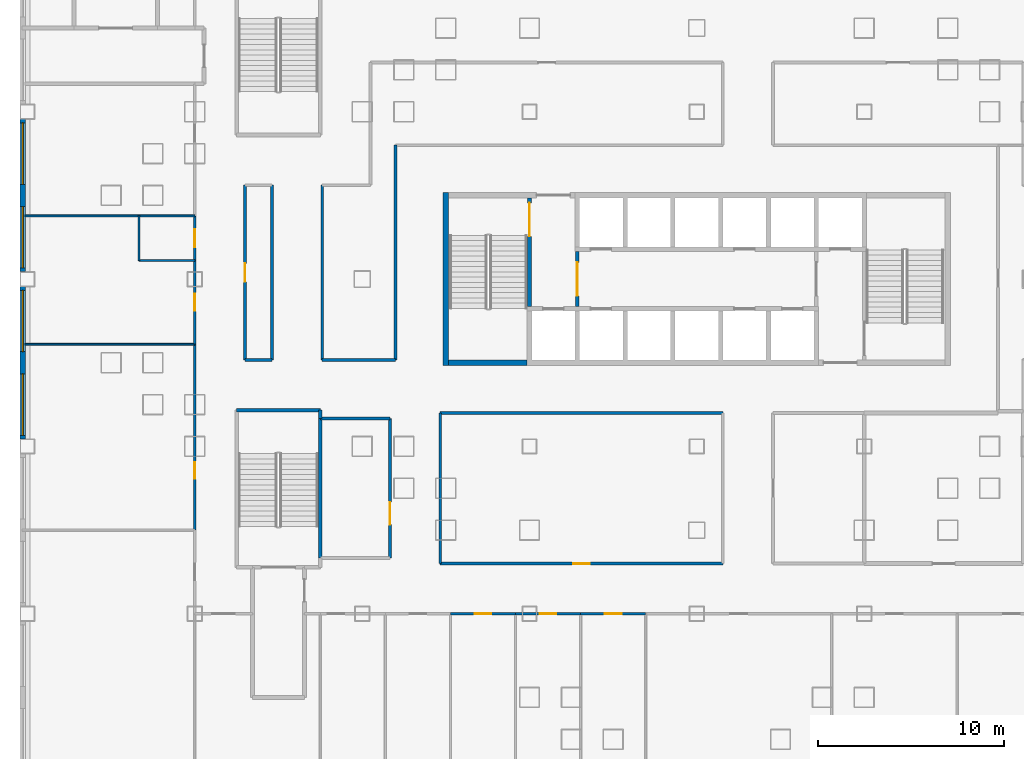
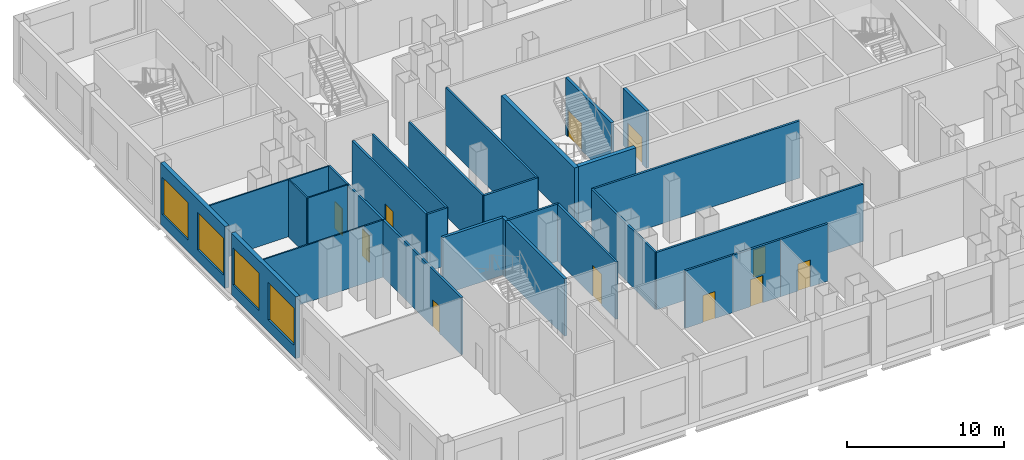
# One storey, part 3 of 23: 31 walls, 11 doors, 4 windows, 15 openings.
"""IFC4 building model written with IfcOpenShell, lengths in metres."""

from ifc_helpers import new_model, si_unit, direction, frame, frame_2d, origin, place, context, subcontext, project, spatial, rectangle, extrude, material, layer, layer_set, type_object, element, fill, save


model = new_model("IFC4")

# Units and contexts
model_context = context("Model", 3, precision=1e-05, world=origin(), true_north=direction((0.0, 1.0)))
body_context = subcontext(model_context, "Body", "Model", "MODEL_VIEW")
ifc_project = project(units=[si_unit("LENGTHUNIT", "METRE"), si_unit("AREAUNIT", "SQUARE_METRE"), si_unit("VOLUMEUNIT", "CUBIC_METRE"), si_unit("PLANEANGLEUNIT", "RADIAN"), si_unit("MASSUNIT", "GRAM", prefix="KILO")], contexts=[model_context])

# Site, building, storey
site_placement = place(None, origin())
site = spatial("IfcSite", under=ifc_project, at=site_placement, CompositionType="ELEMENT")
building_placement = place(site_placement, origin())
building = spatial("IfcBuilding", under=site, at=building_placement, Name="Caravel Reach Hotel and Residences", CompositionType="ELEMENT")
storey_placement = place(building_placement, frame((0.0, 0.0, 24.0)))
storey = spatial("IfcBuildingStorey", under=building, at=storey_placement, Name="L04", CompositionType="ELEMENT", Elevation=24.0)

# Walls
ifc_material_1 = material(Name="Concrete C60", Category="concrete")
ifc_layer_1 = layer(ifc_material_1, 0.300048828125)
ifc_layer_set_1 = layer_set([ifc_layer_1], Name="Core wall 300 mm EI 120")
wall_type_1 = type_object("IfcWallType", Name="Core wall 300 mm EI 120", PredefinedType="SHEAR", material=ifc_layer_set_1)
wall_1_placement = place(storey_placement, frame((18.14990234375, 22.5, 0.0), z_axis=(0.0, 0.0, 1.0), x_axis=(1.0, 0.0, 0.0)))
element("IfcWall", 1, at=wall_1_placement, inside=storey, type_object=wall_type_1, Name="L04 core wall S1", PredefinedType="SHEAR", context=body_context, shape_type="SweptSolid", body=[
    extrude(rectangle(XDim=4.22509765625, YDim=0.300048828125, at=frame_2d((2.112548828125, 0.0))), origin(), (0.0, 0.0, 1.0), 4.449951171875),
])
wall_2_placement = place(storey_placement, frame((18.0, 22.35009765625, 0.0), z_axis=(0.0, 0.0, 1.0), x_axis=(0.0, 1.0, 0.0)))
element("IfcWall", 2, at=wall_2_placement, inside=storey, type_object=wall_type_1, Name="L04 core wall W", PredefinedType="SHEAR", context=body_context, shape_type="SweptSolid", body=[
    extrude(rectangle(XDim=9.2998046875, YDim=0.300048828125, at=frame_2d((4.64990234375, 0.0))), origin(), (0.0, 0.0, 1.0), 4.449951171875),
])

# Wall, opening, door
ifc_material_2 = material(Name="Gypsum board on steel stud, fire-rated", Category="steel")
ifc_layer_2 = layer(ifc_material_2, 0.14990234375)
ifc_layer_set_2 = layer_set([ifc_layer_2], Name="Corridor wall 150 mm EI 60")
wall_type_2 = type_object("IfcWallType", Name="Corridor wall 150 mm EI 60", PredefinedType="PARTITIONING", material=ifc_layer_set_2)
wall_3_placement = place(storey_placement, frame((17.699951171875, 11.699951171875, 0.0), z_axis=(0.0, 0.0, 1.0), x_axis=(1.0, 0.0, 0.0)))
wall_3 = element("IfcWall", 3, at=wall_3_placement, inside=storey, type_object=wall_type_2, Name="L04 wall w002", PredefinedType="PARTITIONING", context=body_context, shape_type="SweptSolid", body=[
    extrude(rectangle(XDim=15.199951171875, YDim=0.14990234375, at=frame_2d((7.60009765625, 0.0))), origin(), (0.0, 0.0, 1.0), 4.449951171875),
])
opening_1_placement = place(wall_3_placement, frame((7.14990234375, 0.0, 0.0)))
opening_1 = element("IfcOpeningElement", 4, at=opening_1_placement, cuts=wall_3, Name="Opening D04-062", PredefinedType="OPENING", context=body_context, shape_type="SweptSolid", body=[
    extrude(rectangle(XDim=0.89990234375, YDim=2.10009765625, at=frame_2d((0.449951171875, 1.050048828125))), frame((0.0, 0.0849609375, 0.0), z_axis=(0.0, -1.0, 0.0), x_axis=(1.0, 0.0, 0.0)), (0.0, 0.0, 1.0), 0.169921875),
])
ifc_material_3 = material(Name="Timber and steel door leaf", Category="steel")
door_type_1 = type_object("IfcDoorType", Name="Door 900 x 2100 timber", OperationType="SINGLE_SWING_LEFT", PredefinedType="DOOR", material=ifc_material_3)
door_1_placement = place(opening_1_placement, origin())
door_1 = element("IfcDoor", 5, at=door_1_placement, inside=storey, type_object=door_type_1, Name="door D04-062", OperationType="SINGLE_SWING_RIGHT", OverallHeight=2.10009765625, OverallWidth=0.89990234375, PredefinedType="DOOR", context=body_context, shape_type="SweptSolid", body=[
    extrude(rectangle(XDim=0.89990234375, YDim=2.10009765625, at=frame_2d((0.449951171875, 1.050048828125))), frame((0.0, 0.02490234375, 0.0), z_axis=(0.0, -1.0, 0.0), x_axis=(1.0, 0.0, 0.0)), (0.0, 0.0, 1.0), 0.050048828125),
])
fill(opening_1, door_1)

# Walls
wall_4_placement = place(storey_placement, frame((11.25, 19.5, 0.0), z_axis=(0.0, 0.0, 1.0), x_axis=(1.0, 0.0, 0.0)))
element("IfcWall", 6, at=wall_4_placement, inside=storey, type_object=wall_type_2, Name="L04 wall w004", PredefinedType="PARTITIONING", context=body_context, shape_type="SweptSolid", body=[
    extrude(rectangle(XDim=3.75, YDim=0.14990234375, at=frame_2d((1.875, 0.0))), origin(), (0.0, 0.0, 1.0), 4.449951171875),
])
wall_5_placement = place(storey_placement, frame((17.699951171875, 19.800048828125, 0.0), z_axis=(0.0, 0.0, 1.0), x_axis=(1.0, 0.0, 0.0)))
element("IfcWall", 7, at=wall_5_placement, inside=storey, type_object=wall_type_2, Name="L04 wall w006", PredefinedType="PARTITIONING", context=body_context, shape_type="SweptSolid", body=[
    extrude(rectangle(XDim=15.199951171875, YDim=0.14990234375, at=frame_2d((7.60009765625, 0.0))), origin(), (0.0, 0.0, 1.0), 4.449951171875),
])
wall_6_placement = place(storey_placement, frame((11.35009765625, 22.64990234375, 0.0), z_axis=(0.0, 0.0, 1.0), x_axis=(1.0, 0.0, 0.0)))
element("IfcWall", 8, at=wall_6_placement, inside=storey, type_object=wall_type_2, Name="L04 wall w008", PredefinedType="PARTITIONING", context=body_context, shape_type="SweptSolid", body=[
    extrude(rectangle(XDim=3.949951171875, YDim=0.14990234375, at=frame_2d((1.97509765625, 0.0))), origin(), (0.0, 0.0, 1.0), 4.449951171875),
])
wall_7_placement = place(storey_placement, frame((7.199951171875, 22.64990234375, 0.0), z_axis=(0.0, 0.0, 1.0), x_axis=(1.0, 0.0, 0.0)))
element("IfcWall", 9, at=wall_7_placement, inside=storey, type_object=wall_type_2, Name="L04 wall w009", PredefinedType="PARTITIONING", context=body_context, shape_type="SweptSolid", body=[
    extrude(rectangle(XDim=1.449951171875, YDim=0.14990234375, at=frame_2d((0.72509765625, 0.0))), origin(), (0.0, 0.0, 1.0), 4.449951171875),
])

# Wall, opening, door
wall_8_placement = place(storey_placement, frame((18.25, 9.0, 0.0), z_axis=(0.0, 0.0, 1.0), x_axis=(1.0, 0.0, 0.0)))
wall_8 = element("IfcWall", 10, at=wall_8_placement, inside=storey, type_object=wall_type_2, Name="L04 wall w026", PredefinedType="PARTITIONING", context=body_context, shape_type="SweptSolid", body=[
    extrude(rectangle(XDim=3.5, YDim=0.14990234375, at=frame_2d((1.75, 0.0))), origin(), (0.0, 0.0, 1.0), 4.449951171875),
])
opening_2_placement = place(wall_8_placement, frame((1.300048828125, 0.0, 0.0)))
opening_2 = element("IfcOpeningElement", 11, at=opening_2_placement, cuts=wall_8, Name="Opening D04-043", PredefinedType="OPENING", context=body_context, shape_type="SweptSolid", body=[
    extrude(rectangle(XDim=0.89990234375, YDim=2.10009765625, at=frame_2d((0.449951171875, 1.050048828125))), frame((0.0, 0.0849609375, 0.0), z_axis=(0.0, -1.0, 0.0), x_axis=(1.0, 0.0, 0.0)), (0.0, 0.0, 1.0), 0.169921875),
])
door_2_placement = place(opening_2_placement, origin())
door_2 = element("IfcDoor", 12, at=door_2_placement, inside=storey, type_object=door_type_1, Name="door D04-043", OperationType="SINGLE_SWING_RIGHT", OverallHeight=2.10009765625, OverallWidth=0.89990234375, PredefinedType="DOOR", context=body_context, shape_type="SweptSolid", body=[
    extrude(rectangle(XDim=0.89990234375, YDim=2.10009765625, at=frame_2d((0.449951171875, 1.050048828125))), frame((0.0, 0.02490234375, 0.0), z_axis=(0.0, -1.0, 0.0), x_axis=(1.0, 0.0, 0.0)), (0.0, 0.0, 1.0), 0.050048828125),
])
fill(opening_2, door_2)

wall_9_placement = place(storey_placement, frame((21.75, 9.0, 0.0), z_axis=(0.0, 0.0, 1.0), x_axis=(1.0, 0.0, 0.0)))
wall_9 = element("IfcWall", 13, at=wall_9_placement, inside=storey, type_object=wall_type_2, Name="L04 wall w027", PredefinedType="PARTITIONING", context=body_context, shape_type="SweptSolid", body=[
    extrude(rectangle(XDim=3.5, YDim=0.14990234375, at=frame_2d((1.75, 0.0))), origin(), (0.0, 0.0, 1.0), 4.449951171875),
])
opening_3_placement = place(wall_9_placement, frame((1.300048828125, 0.0, 0.0)))
opening_3 = element("IfcOpeningElement", 14, at=opening_3_placement, cuts=wall_9, Name="Opening D04-044", PredefinedType="OPENING", context=body_context, shape_type="SweptSolid", body=[
    extrude(rectangle(XDim=0.89990234375, YDim=2.10009765625, at=frame_2d((0.449951171875, 1.050048828125))), frame((0.0, 0.0849609375, 0.0), z_axis=(0.0, -1.0, 0.0), x_axis=(1.0, 0.0, 0.0)), (0.0, 0.0, 1.0), 0.169921875),
])
door_3_placement = place(opening_3_placement, origin())
door_3 = element("IfcDoor", 15, at=door_3_placement, inside=storey, type_object=door_type_1, Name="door D04-044", OperationType="SINGLE_SWING_RIGHT", OverallHeight=2.10009765625, OverallWidth=0.89990234375, PredefinedType="DOOR", context=body_context, shape_type="SweptSolid", body=[
    extrude(rectangle(XDim=0.89990234375, YDim=2.10009765625, at=frame_2d((0.449951171875, 1.050048828125))), frame((0.0, 0.02490234375, 0.0), z_axis=(0.0, -1.0, 0.0), x_axis=(1.0, 0.0, 0.0)), (0.0, 0.0, 1.0), 0.050048828125),
])
fill(opening_3, door_3)

wall_10_placement = place(storey_placement, frame((25.25, 9.0, 0.0), z_axis=(0.0, 0.0, 1.0), x_axis=(1.0, 0.0, 0.0)))
wall_10 = element("IfcWall", 16, at=wall_10_placement, inside=storey, type_object=wall_type_2, Name="L04 wall w028", PredefinedType="PARTITIONING", context=body_context, shape_type="SweptSolid", body=[
    extrude(rectangle(XDim=3.5, YDim=0.14990234375, at=frame_2d((1.75, 0.0))), origin(), (0.0, 0.0, 1.0), 4.449951171875),
])
opening_4_placement = place(wall_10_placement, frame((1.300048828125, 0.0, 0.0)))
opening_4 = element("IfcOpeningElement", 17, at=opening_4_placement, cuts=wall_10, Name="Opening D04-045", PredefinedType="OPENING", context=body_context, shape_type="SweptSolid", body=[
    extrude(rectangle(XDim=0.89990234375, YDim=2.10009765625, at=frame_2d((0.449951171875, 1.050048828125))), frame((0.0, 0.0849609375, 0.0), z_axis=(0.0, -1.0, 0.0), x_axis=(1.0, 0.0, 0.0)), (0.0, 0.0, 1.0), 0.169921875),
])
door_4_placement = place(opening_4_placement, origin())
door_4 = element("IfcDoor", 18, at=door_4_placement, inside=storey, type_object=door_type_1, Name="door D04-045", OperationType="SINGLE_SWING_RIGHT", OverallHeight=2.10009765625, OverallWidth=0.89990234375, PredefinedType="DOOR", context=body_context, shape_type="SweptSolid", body=[
    extrude(rectangle(XDim=0.89990234375, YDim=2.10009765625, at=frame_2d((0.449951171875, 1.050048828125))), frame((0.0, 0.02490234375, 0.0), z_axis=(0.0, -1.0, 0.0), x_axis=(1.0, 0.0, 0.0)), (0.0, 0.0, 1.0), 0.050048828125),
])
fill(opening_4, door_4)

# Wall
wall_11_placement = place(storey_placement, frame((11.35009765625, 22.64990234375, 0.0), z_axis=(0.0, 0.0, 1.0), x_axis=(0.0, 1.0, 0.0)))
element("IfcWall", 19, at=wall_11_placement, inside=storey, type_object=wall_type_2, Name="L04 wall w034", PredefinedType="PARTITIONING", context=body_context, shape_type="SweptSolid", body=[
    extrude(rectangle(XDim=9.400146484375, YDim=0.14990234375, at=frame_2d((4.7001953125, 0.0))), origin(), (0.0, 0.0, 1.0), 4.449951171875),
])

# Wall, opening, door
wall_12_placement = place(storey_placement, frame((15.0, 12.0, 0.0), z_axis=(0.0, 0.0, 1.0), x_axis=(0.0, 1.0, 0.0)))
wall_12 = element("IfcWall", 20, at=wall_12_placement, inside=storey, type_object=wall_type_2, Name="L04 wall w036", PredefinedType="PARTITIONING", context=body_context, shape_type="SweptSolid", body=[
    extrude(rectangle(XDim=7.5, YDim=0.14990234375, at=frame_2d((3.75, 0.0))), origin(), (0.0, 0.0, 1.0), 4.449951171875),
])
opening_5_placement = place(wall_12_placement, frame((1.800048828125, 0.0, 0.0)))
opening_5 = element("IfcOpeningElement", 21, at=opening_5_placement, cuts=wall_12, Name="Opening D04-056", PredefinedType="OPENING", context=body_context, shape_type="SweptSolid", body=[
    extrude(rectangle(XDim=1.199951171875, YDim=2.39990234375, at=frame_2d((0.60009765625, 1.199951171875))), frame((0.0, 0.0849609375, 0.0), z_axis=(0.0, -1.0, 0.0), x_axis=(1.0, 0.0, 0.0)), (0.0, 0.0, 1.0), 0.169921875),
])
ifc_material_4 = material(Name="Timber and steel door leaf", Category="steel")
door_type_2 = type_object("IfcDoorType", Name="Glazed door 1200 x 2400", OperationType="SINGLE_SWING_LEFT", PredefinedType="DOOR", material=ifc_material_4)
door_5_placement = place(opening_5_placement, origin())
door_5 = element("IfcDoor", 22, at=door_5_placement, inside=storey, type_object=door_type_2, Name="door D04-056", OperationType="SINGLE_SWING_LEFT", OverallHeight=2.39990234375, OverallWidth=1.199951171875, PredefinedType="DOOR", context=body_context, shape_type="SweptSolid", body=[
    extrude(rectangle(XDim=1.199951171875, YDim=2.39990234375, at=frame_2d((0.60009765625, 1.199951171875))), frame((0.0, 0.02490234375, 0.0), z_axis=(0.0, -1.0, 0.0), x_axis=(1.0, 0.0, 0.0)), (0.0, 0.0, 1.0), 0.050048828125),
])
fill(opening_5, door_5)

# Walls
wall_13_placement = place(storey_placement, frame((15.300048828125, 22.64990234375, 0.0), z_axis=(0.0, 0.0, 1.0), x_axis=(0.0, 1.0, 0.0)))
element("IfcWall", 23, at=wall_13_placement, inside=storey, type_object=wall_type_2, Name="L04 wall w037", PredefinedType="PARTITIONING", context=body_context, shape_type="SweptSolid", body=[
    extrude(rectangle(XDim=11.550048828125, YDim=0.14990234375, at=frame_2d((5.77490234375, 0.0))), origin(), (0.0, 0.0, 1.0), 4.449951171875),
])
wall_14_placement = place(storey_placement, frame((17.699951171875, 11.699951171875, 0.0), z_axis=(0.0, 0.0, 1.0), x_axis=(0.0, 1.0, 0.0)))
element("IfcWall", 24, at=wall_14_placement, inside=storey, type_object=wall_type_2, Name="L04 wall w038", PredefinedType="PARTITIONING", context=body_context, shape_type="SweptSolid", body=[
    extrude(rectangle(XDim=8.10009765625, YDim=0.14990234375, at=frame_2d((4.050048828125, 0.0))), origin(), (0.0, 0.0, 1.0), 4.449951171875),
])

# Wall, opening, door
wall_15_placement = place(storey_placement, frame((4.5, 13.5, 0.0), z_axis=(0.0, 0.0, 1.0), x_axis=(0.0, 1.0, 0.0)))
wall_15 = element("IfcWall", 25, at=wall_15_placement, inside=storey, type_object=wall_type_2, Name="L04 wall w044", PredefinedType="PARTITIONING", context=body_context, shape_type="SweptSolid", body=[
    extrude(rectangle(XDim=10.0, YDim=0.14990234375, at=frame_2d((5.0, 0.0))), origin(), (0.0, 0.0, 1.0), 4.449951171875),
])
opening_6_placement = place(wall_15_placement, frame((2.75, 0.0, 0.0)))
opening_6 = element("IfcOpeningElement", 26, at=opening_6_placement, cuts=wall_15, Name="Opening D04-029", PredefinedType="OPENING", context=body_context, shape_type="SweptSolid", body=[
    extrude(rectangle(XDim=0.89990234375, YDim=2.10009765625, at=frame_2d((0.449951171875, 1.050048828125))), frame((0.0, 0.0849609375, 0.0), z_axis=(0.0, -1.0, 0.0), x_axis=(1.0, 0.0, 0.0)), (0.0, 0.0, 1.0), 0.169921875),
])
door_6_placement = place(opening_6_placement, origin())
door_6 = element("IfcDoor", 27, at=door_6_placement, inside=storey, type_object=door_type_1, Name="door D04-029", OperationType="SINGLE_SWING_LEFT", OverallHeight=2.10009765625, OverallWidth=0.89990234375, PredefinedType="DOOR", context=body_context, shape_type="SweptSolid", body=[
    extrude(rectangle(XDim=0.89990234375, YDim=2.10009765625, at=frame_2d((0.449951171875, 1.050048828125))), frame((0.0, 0.02490234375, 0.0), z_axis=(0.0, -1.0, 0.0), x_axis=(1.0, 0.0, 0.0)), (0.0, 0.0, 1.0), 0.050048828125),
])
fill(opening_6, door_6)

wall_16_placement = place(storey_placement, frame((4.5, 23.5, 0.0), z_axis=(0.0, 0.0, 1.0), x_axis=(0.0, 1.0, 0.0)))
wall_16 = element("IfcWall", 28, at=wall_16_placement, inside=storey, type_object=wall_type_2, Name="L04 wall w045", PredefinedType="PARTITIONING", context=body_context, shape_type="SweptSolid", body=[
    extrude(rectangle(XDim=4.5, YDim=0.14990234375, at=frame_2d((2.25, 0.0))), origin(), (0.0, 0.0, 1.0), 4.449951171875),
])
opening_7_placement = place(wall_16_placement, frame((1.800048828125, 0.0, 0.0)))
opening_7 = element("IfcOpeningElement", 29, at=opening_7_placement, cuts=wall_16, Name="Opening D04-030", PredefinedType="OPENING", context=body_context, shape_type="SweptSolid", body=[
    extrude(rectangle(XDim=0.89990234375, YDim=2.10009765625, at=frame_2d((0.449951171875, 1.050048828125))), frame((0.0, 0.0849609375, 0.0), z_axis=(0.0, -1.0, 0.0), x_axis=(1.0, 0.0, 0.0)), (0.0, 0.0, 1.0), 0.169921875),
])
door_7_placement = place(opening_7_placement, origin())
door_7 = element("IfcDoor", 30, at=door_7_placement, inside=storey, type_object=door_type_1, Name="door D04-030", OperationType="SINGLE_SWING_RIGHT", OverallHeight=2.10009765625, OverallWidth=0.89990234375, PredefinedType="DOOR", context=body_context, shape_type="SweptSolid", body=[
    extrude(rectangle(XDim=0.89990234375, YDim=2.10009765625, at=frame_2d((0.449951171875, 1.050048828125))), frame((0.0, 0.02490234375, 0.0), z_axis=(0.0, -1.0, 0.0), x_axis=(1.0, 0.0, 0.0)), (0.0, 0.0, 1.0), 0.050048828125),
])
fill(opening_7, door_7)

wall_17_placement = place(storey_placement, frame((4.5, 28.0, 0.0), z_axis=(0.0, 0.0, 1.0), x_axis=(0.0, 1.0, 0.0)))
wall_17 = element("IfcWall", 31, at=wall_17_placement, inside=storey, type_object=wall_type_2, Name="L04 wall w046", PredefinedType="PARTITIONING", context=body_context, shape_type="SweptSolid", body=[
    extrude(rectangle(XDim=2.39990234375, YDim=0.14990234375, at=frame_2d((1.199951171875, 0.0))), origin(), (0.0, 0.0, 1.0), 4.449951171875),
])
opening_8_placement = place(wall_17_placement, frame((0.72509765625, 0.0, 0.0)))
opening_8 = element("IfcOpeningElement", 32, at=opening_8_placement, cuts=wall_17, Name="Opening D04-031", PredefinedType="OPENING", context=body_context, shape_type="SweptSolid", body=[
    extrude(rectangle(XDim=0.949951171875, YDim=2.10009765625, at=frame_2d((0.47509765625, 1.050048828125))), frame((0.0, 0.0849609375, 0.0), z_axis=(0.0, -1.0, 0.0), x_axis=(1.0, 0.0, 0.0)), (0.0, 0.0, 1.0), 0.169921875),
])
ifc_material_5 = material(Name="Timber and steel door leaf", Category="steel")
door_type_3 = type_object("IfcDoorType", Name="Accessible WC door 950 x 2100", OperationType="SINGLE_SWING_LEFT", PredefinedType="DOOR", material=ifc_material_5)
door_8_placement = place(opening_8_placement, origin())
door_8 = element("IfcDoor", 33, at=door_8_placement, inside=storey, type_object=door_type_3, Name="door D04-031", OperationType="SINGLE_SWING_LEFT", OverallHeight=2.10009765625, OverallWidth=0.949951171875, PredefinedType="DOOR", context=body_context, shape_type="SweptSolid", body=[
    extrude(rectangle(XDim=0.949951171875, YDim=2.10009765625, at=frame_2d((0.47509765625, 1.050048828125))), frame((0.0, 0.02490234375, 0.0), z_axis=(0.0, -1.0, 0.0), x_axis=(1.0, 0.0, 0.0)), (0.0, 0.0, 1.0), 0.050048828125),
])
fill(opening_8, door_8)

wall_18_placement = place(storey_placement, frame((7.199951171875, 22.64990234375, 0.0), z_axis=(0.0, 0.0, 1.0), x_axis=(0.0, 1.0, 0.0)))
wall_18 = element("IfcWall", 34, at=wall_18_placement, inside=storey, type_object=wall_type_2, Name="L04 wall w059", PredefinedType="PARTITIONING", context=body_context, shape_type="SweptSolid", body=[
    extrude(rectangle(XDim=9.400146484375, YDim=0.14990234375, at=frame_2d((4.7001953125, 0.0))), origin(), (0.0, 0.0, 1.0), 4.449951171875),
])
opening_9_placement = place(wall_18_placement, frame((4.199951171875, 0.0, 0.0)))
opening_9 = element("IfcOpeningElement", 35, at=opening_9_placement, cuts=wall_18, Name="Opening D04-063", PredefinedType="OPENING", context=body_context, shape_type="SweptSolid", body=[
    extrude(rectangle(XDim=1.0, YDim=2.10009765625, at=frame_2d((0.5, 1.050048828125))), frame((0.0, 0.0849609375, 0.0), z_axis=(0.0, -1.0, 0.0), x_axis=(1.0, 0.0, 0.0)), (0.0, 0.0, 1.0), 0.169921875),
])
ifc_material_6 = material(Name="Steel fire door leaf", Category="steel")
door_type_4 = type_object("IfcDoorType", Name="Fire door 1000 x 2100 EI 60", OperationType="SINGLE_SWING_LEFT", PredefinedType="DOOR", material=ifc_material_6)
door_9_placement = place(opening_9_placement, origin())
door_9 = element("IfcDoor", 36, at=door_9_placement, inside=storey, type_object=door_type_4, Name="door D04-063", OperationType="SINGLE_SWING_RIGHT", OverallHeight=2.10009765625, OverallWidth=1.0, PredefinedType="DOOR", context=body_context, shape_type="SweptSolid", body=[
    extrude(rectangle(XDim=1.0, YDim=2.10009765625, at=frame_2d((0.5, 1.050048828125))), frame((0.0, 0.02490234375, 0.0), z_axis=(0.0, -1.0, 0.0), x_axis=(1.0, 0.0, 0.0)), (0.0, 0.0, 1.0), 0.050048828125),
])
fill(opening_9, door_9)

# Wall
wall_19_placement = place(storey_placement, frame((8.64990234375, 22.64990234375, 0.0), z_axis=(0.0, 0.0, 1.0), x_axis=(0.0, 1.0, 0.0)))
element("IfcWall", 37, at=wall_19_placement, inside=storey, type_object=wall_type_2, Name="L04 wall w060", PredefinedType="PARTITIONING", context=body_context, shape_type="SweptSolid", body=[
    extrude(rectangle(XDim=9.400146484375, YDim=0.14990234375, at=frame_2d((4.7001953125, 0.0))), origin(), (0.0, 0.0, 1.0), 4.449951171875),
])

# Wall, openings, windows
ifc_material_7 = material(Name="Insulated wall, stone cladding", Category="masonry")
ifc_layer_3 = layer(ifc_material_7, 0.300048828125)
ifc_layer_set_3 = layer_set([ifc_layer_3], Name="EW2 Podium stone-clad wall")
wall_type_3 = type_object("IfcWallType", Name="EW2 Podium stone-clad wall", PredefinedType="SOLIDWALL", material=ifc_layer_set_3)
wall_20_placement = place(storey_placement, frame((-4.75, 35.60009765625, 0.0), z_axis=(0.0, 0.0, 1.0), x_axis=(0.0, -1.0, 0.0)))
wall_20 = element("IfcWall", 38, at=wall_20_placement, inside=storey, type_object=wall_type_3, Name="External wall L04 W3.3", PredefinedType="SOLIDWALL", context=body_context, shape_type="SweptSolid", body=[
    extrude(rectangle(XDim=8.2001953125, YDim=0.300048828125, at=frame_2d((4.10009765625, 0.0))), origin(), (0.0, 0.0, 1.0), 4.800048828125),
])
opening_10_placement = place(wall_20_placement, frame((0.199951171875, 0.0, 0.89990234375)))
opening_10 = element("IfcOpeningElement", 39, at=opening_10_placement, cuts=wall_20, Name="Opening WN32", PredefinedType="OPENING", context=body_context, shape_type="SweptSolid", body=[
    extrude(rectangle(XDim=3.300048828125, YDim=2.89990234375, at=frame_2d((1.64990234375, 1.449951171875))), frame((0.0, 0.159912109375, 0.0), z_axis=(0.0, -1.0, 0.0), x_axis=(1.0, 0.0, 0.0)), (0.0, 0.0, 1.0), 0.320068359375),
])
opening_11_placement = place(wall_20_placement, frame((4.699951171875, 0.0, 0.89990234375)))
opening_11 = element("IfcOpeningElement", 40, at=opening_11_placement, cuts=wall_20, Name="Opening WN32", PredefinedType="OPENING", context=body_context, shape_type="SweptSolid", body=[
    extrude(rectangle(XDim=3.300048828125, YDim=2.89990234375, at=frame_2d((1.64990234375, 1.449951171875))), frame((0.0, 0.159912109375, 0.0), z_axis=(0.0, -1.0, 0.0), x_axis=(1.0, 0.0, 0.0)), (0.0, 0.0, 1.0), 0.320068359375),
])
ifc_material_8 = material(Name="Dark low-e glazing in black aluminium frame", Category="aluminium")
window_type = type_object("IfcWindowType", Name="Podium window 3300 x 2900", PartitioningType="SINGLE_PANEL", PredefinedType="WINDOW", material=ifc_material_8)
window_1_placement = place(opening_10_placement, origin())
window_1 = element("IfcWindow", 41, at=window_1_placement, inside=storey, type_object=window_type, Name="Window L04 W3.3.1", OverallHeight=2.89990234375, OverallWidth=3.300048828125, PartitioningType="SINGLE_PANEL", PredefinedType="WINDOW", context=body_context, shape_type="SweptSolid", body=[
    extrude(rectangle(XDim=3.300048828125, YDim=2.89990234375, at=frame_2d((1.64990234375, 1.449951171875))), frame((0.0, 0.030029296875, 0.0), z_axis=(0.0, -1.0, 0.0), x_axis=(1.0, 0.0, 0.0)), (0.0, 0.0, 1.0), 0.06005859375),
])
fill(opening_10, window_1)
window_2_placement = place(opening_11_placement, origin())
window_2 = element("IfcWindow", 42, at=window_2_placement, inside=storey, type_object=window_type, Name="Window L04 W3.3.2", OverallHeight=2.89990234375, OverallWidth=3.300048828125, PartitioningType="SINGLE_PANEL", PredefinedType="WINDOW", context=body_context, shape_type="SweptSolid", body=[
    extrude(rectangle(XDim=3.300048828125, YDim=2.89990234375, at=frame_2d((1.64990234375, 1.449951171875))), frame((0.0, 0.030029296875, 0.0), z_axis=(0.0, -1.0, 0.0), x_axis=(1.0, 0.0, 0.0)), (0.0, 0.0, 1.0), 0.06005859375),
])
fill(opening_11, window_2)

wall_21_placement = place(storey_placement, frame((-4.75, 26.60009765625, 0.0), z_axis=(0.0, 0.0, 1.0), x_axis=(0.0, -1.0, 0.0)))
wall_21 = element("IfcWall", 43, at=wall_21_placement, inside=storey, type_object=wall_type_3, Name="External wall L04 W3.4", PredefinedType="SOLIDWALL", context=body_context, shape_type="SweptSolid", body=[
    extrude(rectangle(XDim=8.2001953125, YDim=0.300048828125, at=frame_2d((4.10009765625, 0.0))), origin(), (0.0, 0.0, 1.0), 4.800048828125),
])
opening_12_placement = place(wall_21_placement, frame((0.199951171875, 0.0, 0.89990234375)))
opening_12 = element("IfcOpeningElement", 44, at=opening_12_placement, cuts=wall_21, Name="Opening WN32", PredefinedType="OPENING", context=body_context, shape_type="SweptSolid", body=[
    extrude(rectangle(XDim=3.300048828125, YDim=2.89990234375, at=frame_2d((1.64990234375, 1.449951171875))), frame((0.0, 0.159912109375, 0.0), z_axis=(0.0, -1.0, 0.0), x_axis=(1.0, 0.0, 0.0)), (0.0, 0.0, 1.0), 0.320068359375),
])
opening_13_placement = place(wall_21_placement, frame((4.699951171875, 0.0, 0.89990234375)))
opening_13 = element("IfcOpeningElement", 45, at=opening_13_placement, cuts=wall_21, Name="Opening WN32", PredefinedType="OPENING", context=body_context, shape_type="SweptSolid", body=[
    extrude(rectangle(XDim=3.300048828125, YDim=2.89990234375, at=frame_2d((1.64990234375, 1.449951171875))), frame((0.0, 0.159912109375, 0.0), z_axis=(0.0, -1.0, 0.0), x_axis=(1.0, 0.0, 0.0)), (0.0, 0.0, 1.0), 0.320068359375),
])
window_3_placement = place(opening_12_placement, origin())
window_3 = element("IfcWindow", 46, at=window_3_placement, inside=storey, type_object=window_type, Name="Window L04 W3.4.1", OverallHeight=2.89990234375, OverallWidth=3.300048828125, PartitioningType="SINGLE_PANEL", PredefinedType="WINDOW", context=body_context, shape_type="SweptSolid", body=[
    extrude(rectangle(XDim=3.300048828125, YDim=2.89990234375, at=frame_2d((1.64990234375, 1.449951171875))), frame((0.0, 0.030029296875, 0.0), z_axis=(0.0, -1.0, 0.0), x_axis=(1.0, 0.0, 0.0)), (0.0, 0.0, 1.0), 0.06005859375),
])
fill(opening_12, window_3)
window_4_placement = place(opening_13_placement, origin())
window_4 = element("IfcWindow", 47, at=window_4_placement, inside=storey, type_object=window_type, Name="Window L04 W3.4.2", OverallHeight=2.89990234375, OverallWidth=3.300048828125, PartitioningType="SINGLE_PANEL", PredefinedType="WINDOW", context=body_context, shape_type="SweptSolid", body=[
    extrude(rectangle(XDim=3.300048828125, YDim=2.89990234375, at=frame_2d((1.64990234375, 1.449951171875))), frame((0.0, 0.030029296875, 0.0), z_axis=(0.0, -1.0, 0.0), x_axis=(1.0, 0.0, 0.0)), (0.0, 0.0, 1.0), 0.06005859375),
])
fill(opening_13, window_4)

# Wall, opening, door
ifc_material_9 = material(Name="Autoclaved aerated block wall")
ifc_layer_4 = layer(ifc_material_9, 0.199951171875)
ifc_layer_set_4 = layer_set([ifc_layer_4], Name="Fire lobby wall 200 mm EI 120")
wall_type_4 = type_object("IfcWallType", Name="Fire lobby wall 200 mm EI 120", PredefinedType="PARTITIONING", material=ifc_layer_set_4)
wall_22_placement = place(storey_placement, frame((25.071533203125, 25.52490234375, 0.0), z_axis=(0.0, 0.0, 1.0), x_axis=(0.0, 1.0, 0.0)))
wall_22 = element("IfcWall", 48, at=wall_22_placement, inside=storey, type_object=wall_type_4, Name="L04 lobby W wall", PredefinedType="PARTITIONING", context=body_context, shape_type="SweptSolid", body=[
    extrude(rectangle(XDim=2.9501953125, YDim=0.199951171875, at=frame_2d((1.47509765625, 0.0))), origin(), (0.0, 0.0, 1.0), 4.449951171875),
])
opening_14_placement = place(wall_22_placement, frame((0.574951171875, 0.0, 0.0)))
opening_14 = element("IfcOpeningElement", 49, at=opening_14_placement, cuts=wall_22, Name="Opening D04-010", PredefinedType="OPENING", context=body_context, shape_type="SweptSolid", body=[
    extrude(rectangle(XDim=1.800048828125, YDim=2.10009765625, at=frame_2d((0.89990234375, 1.050048828125))), frame((0.0, 0.10986328125, 0.0), z_axis=(0.0, -1.0, 0.0), x_axis=(1.0, 0.0, 0.0)), (0.0, 0.0, 1.0), 0.219970703125),
])
ifc_material_10 = material(Name="Steel fire door leaf", Category="steel")
door_type_5 = type_object("IfcDoorType", Name="Fire lobby door pair 1800 x 2100 EI 90", OperationType="DOUBLE_DOOR_SINGLE_SWING", PredefinedType="DOOR", material=ifc_material_10)
door_10_placement = place(opening_14_placement, origin())
door_10 = element("IfcDoor", 50, at=door_10_placement, inside=storey, type_object=door_type_5, Name="lobby W door pair", OperationType="DOUBLE_DOOR_SINGLE_SWING", OverallHeight=2.10009765625, OverallWidth=1.800048828125, PredefinedType="DOOR", context=body_context, shape_type="SweptSolid", body=[
    extrude(rectangle(XDim=1.800048828125, YDim=2.10009765625, at=frame_2d((0.89990234375, 1.050048828125))), frame((0.0, 0.02490234375, 0.0), z_axis=(0.0, -1.0, 0.0), x_axis=(1.0, 0.0, 0.0)), (0.0, 0.0, 1.0), 0.050048828125),
])
fill(opening_14, door_10)

# Walls
ifc_material_11 = material(Name="Gypsum board on steel stud", Category="steel")
ifc_layer_5 = layer(ifc_material_11, 0.10009765625)
ifc_layer_set_5 = layer_set([ifc_layer_5], Name="Partition 100 mm")
wall_type_5 = type_object("IfcWallType", Name="Partition 100 mm", PredefinedType="PARTITIONING", material=ifc_layer_set_5)
wall_23_placement = place(storey_placement, frame((-4.6201171875, 23.5, 0.0), z_axis=(0.0, 0.0, 1.0), x_axis=(1.0, 0.0, 0.0)))
element("IfcWall", 51, at=wall_23_placement, inside=storey, type_object=wall_type_5, Name="L04 wall w062", PredefinedType="PARTITIONING", context=body_context, shape_type="SweptSolid", body=[
    extrude(rectangle(XDim=9.1201171875, YDim=0.10009765625, at=frame_2d((4.56005859375, 0.0))), origin(), (0.0, 0.0, 1.0), 4.449951171875),
])
wall_24_placement = place(storey_placement, frame((1.5, 28.0, 0.0), z_axis=(0.0, 0.0, 1.0), x_axis=(1.0, 0.0, 0.0)))
element("IfcWall", 52, at=wall_24_placement, inside=storey, type_object=wall_type_5, Name="L04 wall w063", PredefinedType="PARTITIONING", context=body_context, shape_type="SweptSolid", body=[
    extrude(rectangle(XDim=3.0, YDim=0.10009765625, at=frame_2d((1.5, 0.0))), origin(), (0.0, 0.0, 1.0), 4.449951171875),
])
wall_25_placement = place(storey_placement, frame((-4.6201171875, 30.39990234375, 0.0), z_axis=(0.0, 0.0, 1.0), x_axis=(1.0, 0.0, 0.0)))
element("IfcWall", 53, at=wall_25_placement, inside=storey, type_object=wall_type_5, Name="L04 wall w065", PredefinedType="PARTITIONING", context=body_context, shape_type="SweptSolid", body=[
    extrude(rectangle(XDim=6.1201171875, YDim=0.10009765625, at=frame_2d((3.06005859375, 0.0))), origin(), (0.0, 0.0, 1.0), 4.449951171875),
])
wall_26_placement = place(storey_placement, frame((1.5, 30.39990234375, 0.0), z_axis=(0.0, 0.0, 1.0), x_axis=(1.0, 0.0, 0.0)))
element("IfcWall", 54, at=wall_26_placement, inside=storey, type_object=wall_type_5, Name="L04 wall w066", PredefinedType="PARTITIONING", context=body_context, shape_type="SweptSolid", body=[
    extrude(rectangle(XDim=3.0, YDim=0.10009765625, at=frame_2d((1.5, 0.0))), origin(), (0.0, 0.0, 1.0), 4.449951171875),
])
wall_27_placement = place(storey_placement, frame((1.5, 28.0, 0.0), z_axis=(0.0, 0.0, 1.0), x_axis=(0.0, 1.0, 0.0)))
element("IfcWall", 55, at=wall_27_placement, inside=storey, type_object=wall_type_5, Name="L04 wall w070", PredefinedType="PARTITIONING", context=body_context, shape_type="SweptSolid", body=[
    extrude(rectangle(XDim=2.39990234375, YDim=0.10009765625, at=frame_2d((1.199951171875, 0.0))), origin(), (0.0, 0.0, 1.0), 4.449951171875),
])

# Wall, opening, door
ifc_material_12 = material(Name="Concrete C60", Category="concrete")
ifc_layer_6 = layer(ifc_material_12, 0.199951171875)
ifc_layer_set_6 = layer_set([ifc_layer_6], Name="Stair enclosure wall 200 mm EI 120")
wall_type_6 = type_object("IfcWallType", Name="Stair enclosure wall 200 mm EI 120", PredefinedType="SHEAR", material=ifc_layer_set_6)
wall_28_placement = place(storey_placement, frame((22.5, 31.35009765625, 0.0), z_axis=(0.0, 0.0, 1.0), x_axis=(0.0, -1.0, 0.0)))
wall_28 = element("IfcWall", 56, at=wall_28_placement, inside=storey, type_object=wall_type_6, Name="L04 stair A wall", PredefinedType="SHEAR", context=body_context, shape_type="SweptSolid", body=[
    extrude(rectangle(XDim=5.8251953125, YDim=0.199951171875, at=frame_2d((2.91259765625, 0.0))), origin(), (0.0, 0.0, 1.0), 4.449951171875),
])
opening_15_placement = place(wall_28_placement, frame((0.25, 0.0, 0.0)))
opening_15 = element("IfcOpeningElement", 57, at=opening_15_placement, cuts=wall_28, Name="Opening D04-008", PredefinedType="OPENING", context=body_context, shape_type="SweptSolid", body=[
    extrude(rectangle(XDim=1.800048828125, YDim=2.10009765625, at=frame_2d((0.89990234375, 1.050048828125))), frame((0.0, 0.10986328125, 0.0), z_axis=(0.0, -1.0, 0.0), x_axis=(1.0, 0.0, 0.0)), (0.0, 0.0, 1.0), 0.219970703125),
])
ifc_material_13 = material(Name="Steel fire door leaf", Category="steel")
door_type_6 = type_object("IfcDoorType", Name="Stair door pair 1800 x 2100 EI 90", OperationType="DOUBLE_DOOR_SINGLE_SWING", PredefinedType="DOOR", material=ifc_material_13)
door_11_placement = place(opening_15_placement, origin())
door_11 = element("IfcDoor", 58, at=door_11_placement, inside=storey, type_object=door_type_6, Name="stair A door pair", OperationType="DOUBLE_DOOR_SINGLE_SWING", OverallHeight=2.10009765625, OverallWidth=1.800048828125, PredefinedType="DOOR", context=body_context, shape_type="SweptSolid", body=[
    extrude(rectangle(XDim=1.800048828125, YDim=2.10009765625, at=frame_2d((0.89990234375, 1.050048828125))), frame((0.0, 0.02490234375, 0.0), z_axis=(0.0, -1.0, 0.0), x_axis=(1.0, 0.0, 0.0)), (0.0, 0.0, 1.0), 0.050048828125),
])
fill(opening_15, door_11)

# Walls
wall_29_placement = place(storey_placement, frame((6.75, 19.949951171875, 0.0), z_axis=(0.0, 0.0, 1.0), x_axis=(1.0, 0.0, 0.0)))
element("IfcWall", 59, at=wall_29_placement, inside=storey, type_object=wall_type_6, Name="L04 wall w138", PredefinedType="SHEAR", context=body_context, shape_type="SweptSolid", body=[
    extrude(rectangle(XDim=4.5, YDim=0.199951171875, at=frame_2d((2.25, 0.0))), origin(), (0.0, 0.0, 1.0), 4.449951171875),
])
wall_30_placement = place(storey_placement, frame((11.25, 19.5, 0.0), z_axis=(0.0, 0.0, 1.0), x_axis=(0.0, 1.0, 0.0)))
element("IfcWall", 60, at=wall_30_placement, inside=storey, type_object=wall_type_6, Name="L04 wall w156", PredefinedType="SHEAR", context=body_context, shape_type="SweptSolid", body=[
    extrude(rectangle(XDim=0.449951171875, YDim=0.199951171875, at=frame_2d((0.22509765625, 0.0))), origin(), (0.0, 0.0, 1.0), 4.449951171875),
])
wall_31_placement = place(storey_placement, frame((11.25, 12.0, 0.0), z_axis=(0.0, 0.0, 1.0), x_axis=(0.0, 1.0, 0.0)))
element("IfcWall", 61, at=wall_31_placement, inside=storey, type_object=wall_type_6, Name="L04 wall w157", PredefinedType="SHEAR", context=body_context, shape_type="SweptSolid", body=[
    extrude(rectangle(XDim=7.5, YDim=0.199951171875, at=frame_2d((3.75, 0.0))), origin(), (0.0, 0.0, 1.0), 4.449951171875),
])

save(model, "model.ifc")
